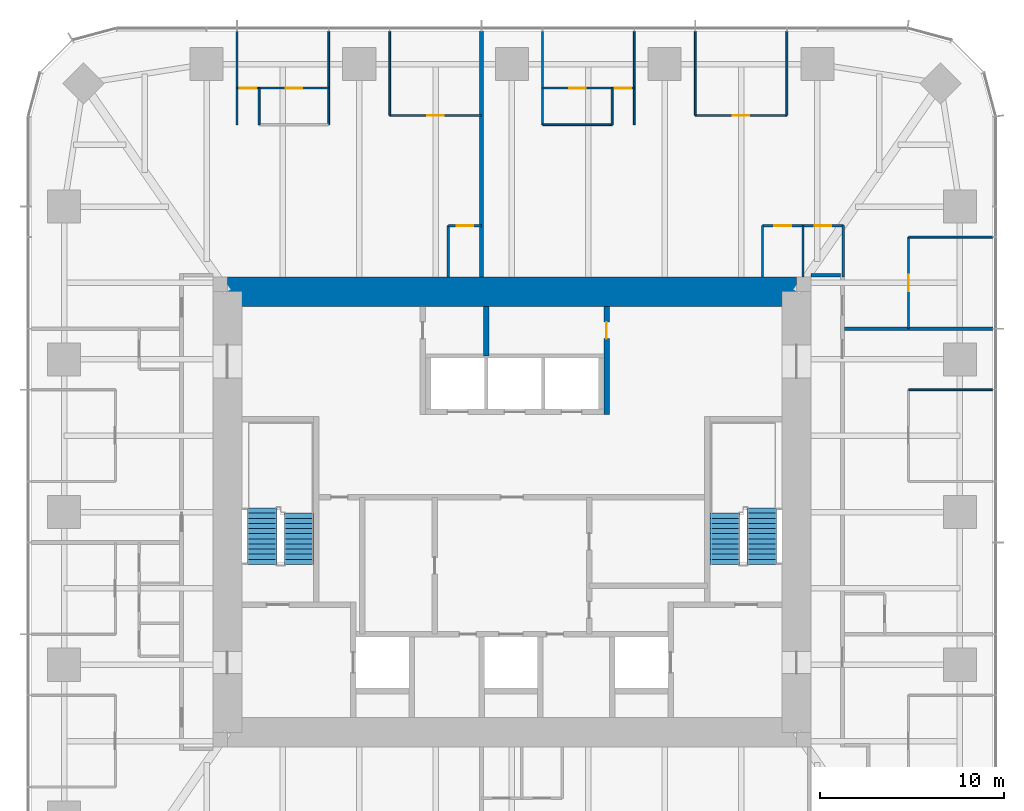
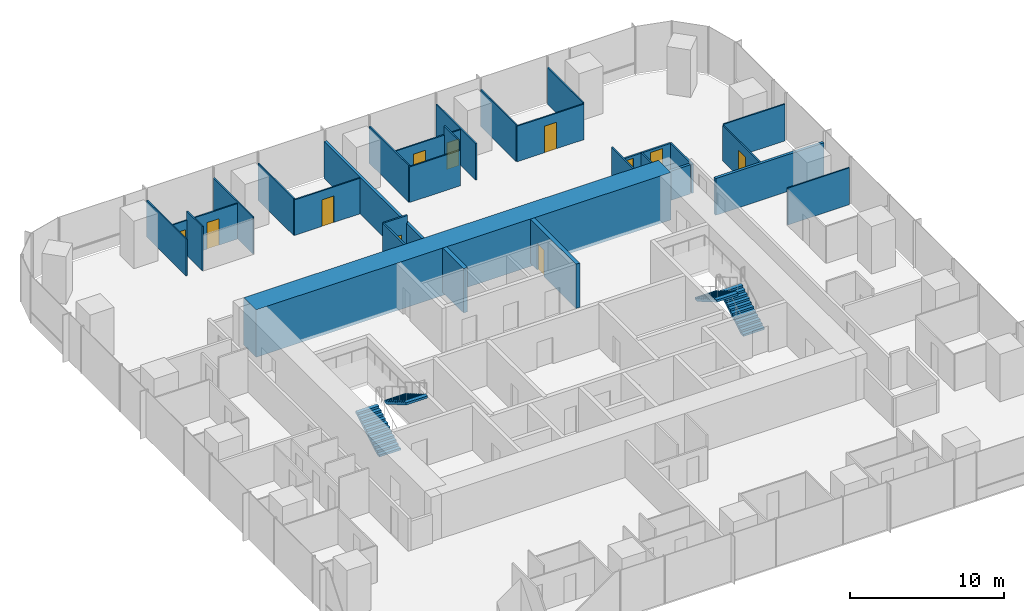
# One storey, part 11 of 12: 29 walls, 11 doors, 4 stair flights, 11 openings, 2 elements without a shape of their own.
"""IFC4 building model written with IfcOpenShell, lengths in metres."""

from ifc_helpers import new_model, si_unit, direction, frame, frame_2d, origin, place, context, subcontext, project, spatial, polyline, rectangle, outline, extrude, material, layer, layer_set, type_object, element, fill, aggregate, save


model = new_model("IFC4")

# Units and contexts
model_context = context("Model", 3, precision=1e-05, world=origin(), true_north=direction((0.0, 1.0)))
body_context = subcontext(model_context, "Body", "Model", "MODEL_VIEW")
ifc_project = project(units=[si_unit("LENGTHUNIT", "METRE"), si_unit("AREAUNIT", "SQUARE_METRE"), si_unit("VOLUMEUNIT", "CUBIC_METRE"), si_unit("PLANEANGLEUNIT", "RADIAN"), si_unit("MASSUNIT", "GRAM", prefix="KILO")], contexts=[model_context])

# Site, building, storey
site_placement = place(None, origin())
site = spatial("IfcSite", under=ifc_project, at=site_placement, CompositionType="ELEMENT")
building_placement = place(site_placement, origin())
building = spatial("IfcBuilding", under=site, at=building_placement, Name="Khuree Lantern Residences", CompositionType="ELEMENT")
storey_placement = place(building_placement, frame((0.0, 0.0, 222.0)))
storey = spatial("IfcBuildingStorey", under=building, at=storey_placement, Name="L55", CompositionType="ELEMENT", Elevation=222.0)

# Wall, openings, doors
ifc_material_1 = material(Name="Moisture-resistant gypsum board on steel studs", Category="steel")
ifc_layer_1 = layer(ifc_material_1, 0.125)
ifc_layer_set_1 = layer_set([ifc_layer_1], Name="BATHROOM WALL BTW125")
wall_type_1 = type_object("IfcWallType", Name="BATHROOM WALL BTW125", PredefinedType="PARTITIONING", material=ifc_layer_set_1)
wall_1_placement = place(storey_placement, frame((18.050048828125, 15.60009765625, 0.0), z_axis=(0.0, 0.0, 1.0), x_axis=(-1.0, 0.0, 0.0)))
wall_1 = element("IfcWall", 1, at=wall_1_placement, inside=storey, type_object=wall_type_1, Name="L55 BATHROOM WALL 02", PredefinedType="PARTITIONING", context=body_context, shape_type="SweptSolid", body=[
    extrude(rectangle(XDim=4.400146484375, YDim=0.125, at=frame_2d((2.2001953125, 0.0))), origin(), (0.0, 0.0, 1.0), 2.300048828125),
])
opening_1_placement = place(wall_1_placement, frame((0.64990234375, 0.0, 0.0)))
opening_1 = element("IfcOpeningElement", 2, at=opening_1_placement, cuts=wall_1, Name="Opening 55-029", PredefinedType="OPENING", context=body_context, shape_type="SweptSolid", body=[
    extrude(rectangle(XDim=0.89990234375, YDim=2.10009765625, at=frame_2d((0.449951171875, 1.050048828125))), frame((0.0, 0.072509765625, 0.0), z_axis=(0.0, -1.0, 0.0), x_axis=(1.0, 0.0, 0.0)), (0.0, 0.0, 1.0), 0.14501953125),
])
opening_2_placement = place(wall_1_placement, frame((2.85009765625, 0.0, 0.0)))
opening_2 = element("IfcOpeningElement", 3, at=opening_2_placement, cuts=wall_1, Name="Opening 55-030", PredefinedType="OPENING", context=body_context, shape_type="SweptSolid", body=[
    extrude(rectangle(XDim=0.89990234375, YDim=2.10009765625, at=frame_2d((0.449951171875, 1.050048828125))), frame((0.0, 0.072509765625, 0.0), z_axis=(0.0, -1.0, 0.0), x_axis=(1.0, 0.0, 0.0)), (0.0, 0.0, 1.0), 0.14501953125),
])
ifc_material_2 = material(Name="Timber door leaf in hardwood frame", Category="wood")
door_type_1 = type_object("IfcDoorType", Name="BATHROOM DOOR 900X2100", OperationType="SINGLE_SWING_LEFT", PredefinedType="DOOR", material=ifc_material_2)
door_1_placement = place(opening_1_placement, origin())
door_1 = element("IfcDoor", 4, at=door_1_placement, inside=storey, type_object=door_type_1, Name="Bathroom door 55-029", OperationType="SINGLE_SWING_LEFT", OverallHeight=2.10009765625, OverallWidth=0.89990234375, PredefinedType="DOOR", context=body_context, shape_type="SweptSolid", body=[
    extrude(rectangle(XDim=0.89990234375, YDim=2.10009765625, at=frame_2d((0.449951171875, 1.050048828125))), frame((0.0, 0.02490234375, 0.0), z_axis=(0.0, -1.0, 0.0), x_axis=(1.0, 0.0, 0.0)), (0.0, 0.0, 1.0), 0.050048828125),
])
fill(opening_1, door_1)
door_2_placement = place(opening_2_placement, origin())
door_2 = element("IfcDoor", 5, at=door_2_placement, inside=storey, type_object=door_type_1, Name="Bathroom door 55-030", OperationType="SINGLE_SWING_LEFT", OverallHeight=2.10009765625, OverallWidth=0.89990234375, PredefinedType="DOOR", context=body_context, shape_type="SweptSolid", body=[
    extrude(rectangle(XDim=0.89990234375, YDim=2.10009765625, at=frame_2d((0.449951171875, 1.050048828125))), frame((0.0, 0.02490234375, 0.0), z_axis=(0.0, -1.0, 0.0), x_axis=(1.0, 0.0, 0.0)), (0.0, 0.0, 1.0), 0.050048828125),
])
fill(opening_2, door_2)

# Walls
for number, where, z_axis, x_axis, name in (
    (6, (18.050048828125, 12.800048828125, 0.0), (0.0, 0.0, 1.0), (0.0, 1.0, 0.0), "L55 BATHROOM WALL 02"),
    (7, (15.85009765625, 12.800048828125, 0.0), (0.0, 0.0, 1.0), (0.0, 1.0, 0.0), "L55 BATHROOM WALL 02"),
):
    element("IfcWall", number, at=place(storey_placement, frame(where, z_axis=z_axis, x_axis=x_axis)), inside=storey, type_object=wall_type_1, Name=name, PredefinedType="PARTITIONING", context=body_context, shape_type="SweptSolid", body=[
        extrude(rectangle(XDim=2.800048828125, YDim=0.125, at=frame_2d((1.39990234375, 0.0))), origin(), (0.0, 0.0, 1.0), 2.300048828125),
    ])
wall_2_placement = place(storey_placement, frame((13.64990234375, 12.800048828125, 0.0), z_axis=(0.0, 0.0, 1.0), x_axis=(0.0, 1.0, 0.0)))
element("IfcWall", 8, at=wall_2_placement, inside=storey, type_object=wall_type_1, Name="L55 BATHROOM WALL 02", PredefinedType="PARTITIONING", context=body_context, shape_type="SweptSolid", body=[
    extrude(rectangle(XDim=2.800048828125, YDim=0.125, at=frame_2d((1.39990234375, 0.0))), origin(), (0.0, 0.0, 1.0), 3.5),
])

# Wall, opening, door
wall_3_placement = place(storey_placement, frame((-1.6640625, 15.60009765625, 0.0), z_axis=(0.0, 0.0, 1.0), x_axis=(-1.0, 0.0, 0.0)))
wall_3 = element("IfcWall", 9, at=wall_3_placement, inside=storey, type_object=wall_type_1, Name="L55 BATHROOM WALL 03", PredefinedType="PARTITIONING", context=body_context, shape_type="SweptSolid", body=[
    extrude(rectangle(XDim=1.800048828125, YDim=0.125, at=frame_2d((0.89990234375, 0.0))), origin(), (0.0, 0.0, 1.0), 3.5),
])
opening_3_placement = place(wall_3_placement, frame((0.449951171875, 0.0, 0.0)))
opening_3 = element("IfcOpeningElement", 10, at=opening_3_placement, cuts=wall_3, Name="Opening 55-035", PredefinedType="OPENING", context=body_context, shape_type="SweptSolid", body=[
    extrude(rectangle(XDim=0.89990234375, YDim=2.10009765625, at=frame_2d((0.449951171875, 1.050048828125))), frame((0.0, 0.072509765625, 0.0), z_axis=(0.0, -1.0, 0.0), x_axis=(1.0, 0.0, 0.0)), (0.0, 0.0, 1.0), 0.14501953125),
])
door_3_placement = place(opening_3_placement, origin())
door_3 = element("IfcDoor", 11, at=door_3_placement, inside=storey, type_object=door_type_1, Name="Bathroom door 55-035", OperationType="SINGLE_SWING_LEFT", OverallHeight=2.10009765625, OverallWidth=0.89990234375, PredefinedType="DOOR", context=body_context, shape_type="SweptSolid", body=[
    extrude(rectangle(XDim=0.89990234375, YDim=2.10009765625, at=frame_2d((0.449951171875, 1.050048828125))), frame((0.0, 0.02490234375, 0.0), z_axis=(0.0, -1.0, 0.0), x_axis=(1.0, 0.0, 0.0)), (0.0, 0.0, 1.0), 0.050048828125),
])
fill(opening_3, door_3)

# Wall
wall_4_placement = place(storey_placement, frame((-3.464111328125, 12.800048828125, 0.0), z_axis=(0.0, 0.0, 1.0), x_axis=(0.0, 1.0, 0.0)))
element("IfcWall", 12, at=wall_4_placement, inside=storey, type_object=wall_type_1, Name="L55 BATHROOM WALL 03", PredefinedType="PARTITIONING", context=body_context, shape_type="SweptSolid", body=[
    extrude(rectangle(XDim=2.800048828125, YDim=0.125, at=frame_2d((1.39990234375, 0.0))), origin(), (0.0, 0.0, 1.0), 3.5),
])

# Wall, opening, door
ifc_material_3 = material(Name="Dense concrete blockwork", Category="masonry")
ifc_layer_2 = layer(ifc_material_3, 0.300048828125)
ifc_layer_set_2 = layer_set([ifc_layer_2], Name="CORE PARTITION WALL CPW300 EI 120")
wall_type_2 = type_object("IfcWallType", Name="CORE PARTITION WALL CPW300 EI 120", PredefinedType="PARTITIONING", material=ifc_layer_set_2)
wall_5_placement = place(storey_placement, frame((5.14990234375, 5.300048828125, 0.0), z_axis=(0.0, 0.0, 1.0), x_axis=(0.0, 1.0, 0.0)))
wall_5 = element("IfcWall", 13, at=wall_5_placement, inside=storey, type_object=wall_type_2, Name="L55 CORE WALL NE", PredefinedType="PARTITIONING", context=body_context, shape_type="SweptSolid", body=[
    extrude(rectangle(XDim=5.89990234375, YDim=0.300048828125, at=frame_2d((2.949951171875, 0.0))), origin(), (0.0, 0.0, 1.0), 3.5),
])
opening_4_placement = place(wall_5_placement, frame((4.14990234375, 0.0, 0.0)))
opening_4 = element("IfcOpeningElement", 14, at=opening_4_placement, cuts=wall_5, Name="Opening 55-021", PredefinedType="OPENING", context=body_context, shape_type="SweptSolid", body=[
    extrude(rectangle(XDim=0.89990234375, YDim=2.10009765625, at=frame_2d((0.449951171875, 1.050048828125))), frame((0.0, 0.16015625, 0.0), z_axis=(0.0, -1.0, 0.0), x_axis=(1.0, 0.0, 0.0)), (0.0, 0.0, 1.0), 0.320068359375),
])
door_type_2 = type_object("IfcDoorType", Name="DOOR 900X2100", OperationType="SINGLE_SWING_LEFT", PredefinedType="DOOR", material=ifc_material_2)
door_4_placement = place(opening_4_placement, origin())
door_4 = element("IfcDoor", 15, at=door_4_placement, inside=storey, type_object=door_type_2, Name="Parcel room door 55-021", OperationType="SINGLE_SWING_LEFT", OverallHeight=2.10009765625, OverallWidth=0.89990234375, PredefinedType="DOOR", context=body_context, shape_type="SweptSolid", body=[
    extrude(rectangle(XDim=0.89990234375, YDim=2.10009765625, at=frame_2d((0.449951171875, 1.050048828125))), frame((0.0, 0.02490234375, 0.0), z_axis=(0.0, -1.0, 0.0), x_axis=(1.0, 0.0, 0.0)), (0.0, 0.0, 1.0), 0.050048828125),
])
fill(opening_4, door_4)

# Walls
wall_6_placement = place(storey_placement, frame((-1.39990234375, 8.5, 0.0), z_axis=(0.0, 0.0, 1.0), x_axis=(0.0, 1.0, 0.0)))
element("IfcWall", 16, at=wall_6_placement, inside=storey, type_object=wall_type_2, Name="L55 CORE WALL NX", PredefinedType="PARTITIONING", context=body_context, shape_type="SweptSolid", body=[
    extrude(rectangle(XDim=2.699951171875, YDim=0.300048828125, at=frame_2d((1.35009765625, 0.0))), origin(), (0.0, 0.0, 1.0), 3.5),
])
ifc_material_4 = material(Name="Gypsum board on steel studs", Category="steel")
ifc_layer_3 = layer(ifc_material_4, 0.199951171875)
ifc_layer_set_3 = layer_set([ifc_layer_3], Name="CORRIDOR WALL CRW200 EI 60")
wall_type_3 = type_object("IfcWallType", Name="CORRIDOR WALL CRW200 EI 60", PredefinedType="PARTITIONING", material=ifc_layer_set_3)
wall_7_placement = place(storey_placement, frame((16.300048828125, 12.89990234375, 0.0), z_axis=(0.0, 0.0, 1.0), x_axis=(1.0, 0.0, 0.0)))
element("IfcWall", 17, at=wall_7_placement, inside=storey, type_object=wall_type_3, Name="L55 EAST CORRIDOR NORTH END WALL", PredefinedType="PARTITIONING", context=body_context, shape_type="SweptSolid", body=[
    extrude(rectangle(XDim=1.599853515625, YDim=0.199951171875, at=frame_2d((0.7998046875, 0.0))), origin(), (0.0, 0.0, 1.0), 2.300048828125),
])
ifc_material_5 = material(Name="Concrete C50/60", Category="concrete")
ifc_layer_4 = layer(ifc_material_5, 1.60009765625)
ifc_layer_set_4 = layer_set([ifc_layer_4], Name="CW1600-C50 CORE WALL C50 1600")
wall_type_4 = type_object("IfcWallType", Name="CW1600-C50 CORE WALL C50 1600", PredefinedType="SHEAR", material=ifc_layer_set_4)
wall_8_placement = place(storey_placement, frame((-15.5, 12.0, -0.25), z_axis=(0.0, 0.0, 1.0), x_axis=(1.0, 0.0, 0.0)))
element("IfcWall", 18, at=wall_8_placement, inside=storey, type_object=wall_type_4, Name="Core wall N", PredefinedType="SHEAR", context=body_context, shape_type="SweptSolid", body=[
    extrude(rectangle(XDim=31.0, YDim=1.60009765625, at=frame_2d((15.5, 0.0))), origin(), (0.0, 0.0, 1.0), 3.75),
])
ifc_layer_5 = layer(ifc_material_4, 0.199951171875)
ifc_layer_set_5 = layer_set([ifc_layer_5], Name="DEMISING WALL DMW200 EI 90")
wall_type_5 = type_object("IfcWallType", Name="DEMISING WALL DMW200 EI 90", PredefinedType="PARTITIONING", material=ifc_layer_set_5)
wall_9_placement = place(storey_placement, frame((18.10009765625, 9.98388671875, 0.0), z_axis=(0.0, 0.0, 1.0), x_axis=(1.0, 0.0, 0.0)))
element("IfcWall", 19, at=wall_9_placement, inside=storey, type_object=wall_type_5, Name="L55 DEMISING WALL 02", PredefinedType="PARTITIONING", context=body_context, shape_type="SweptSolid", body=[
    extrude(rectangle(XDim=8.099853515625, YDim=0.199951171875, at=frame_2d((4.0498046875, 0.0))), origin(), (0.0, 0.0, 1.0), 2.909912109375),
])
wall_10_placement = place(storey_placement, frame((-1.6640625, 12.800048828125, 0.0), z_axis=(0.0, 0.0, 1.0), x_axis=(0.0, 1.0, 0.0)))
element("IfcWall", 20, at=wall_10_placement, inside=storey, type_object=wall_type_5, Name="L55 DEMISING WALL 03", PredefinedType="PARTITIONING", context=body_context, shape_type="SweptSolid", body=[
    extrude(rectangle(XDim=13.39990234375, YDim=0.199951171875, at=frame_2d((6.699951171875, 0.0))), origin(), (0.0, 0.0, 1.0), 2.909912109375),
])
ifc_layer_6 = layer(ifc_material_4, 0.10009765625)
ifc_layer_set_6 = layer_set([ifc_layer_6], Name="PARTITION PT100")
wall_type_6 = type_object("IfcWallType", Name="PARTITION PT100", PredefinedType="PARTITIONING", material=ifc_layer_set_6)
for number, where, z_axis, x_axis, name in (
    (21, (21.60009765625, 6.656005859375, 0.0), (0.0, 0.0, 1.0), (1.0, 0.0, 0.0), "L55 PARTITION 01"),
    (22, (21.60009765625, 14.97607421875, 0.0), (0.0, 0.0, 1.0), (1.0, 0.0, 0.0), "L55 PARTITION 02"),
    (23, (14.97607421875, 21.60009765625, 0.0), (0.0, 0.0, 1.0), (0.0, 1.0, 0.0), "L55 PARTITION 02"),
    (24, (9.98388671875, 21.60009765625, 0.0), (0.0, 0.0, 1.0), (0.0, 1.0, 0.0), "L55 PARTITION 02"),
):
    element("IfcWall", number, at=place(storey_placement, frame(where, z_axis=z_axis, x_axis=x_axis)), inside=storey, type_object=wall_type_6, Name=name, PredefinedType="PARTITIONING", context=body_context, shape_type="SweptSolid", body=[
        extrude(rectangle(XDim=4.599853515625, YDim=0.10009765625, at=frame_2d((2.2998046875, 0.0))), origin(), (0.0, 0.0, 1.0), 2.909912109375),
    ])
for number, where, z_axis, x_axis, name in (
    (25, (6.656005859375, 21.094970703125, 0.0), (0.0, 0.0, 1.0), (0.0, 1.0, 0.0), "L55 PARTITION 02"),
    (26, (1.6640625, 21.094970703125, 0.0), (0.0, 0.0, 1.0), (0.0, 1.0, 0.0), "L55 PARTITION 02"),
):
    element("IfcWall", number, at=place(storey_placement, frame(where, z_axis=z_axis, x_axis=x_axis)), inside=storey, type_object=wall_type_6, Name=name, PredefinedType="PARTITIONING", context=body_context, shape_type="SweptSolid", body=[
        extrude(rectangle(XDim=5.10498046875, YDim=0.10009765625, at=frame_2d((2.552490234375, 0.0))), origin(), (0.0, 0.0, 1.0), 2.909912109375),
    ])
wall_11_placement = place(storey_placement, frame((-6.656005859375, 21.60009765625, 0.0), z_axis=(0.0, 0.0, 1.0), x_axis=(0.0, 1.0, 0.0)))
element("IfcWall", 27, at=wall_11_placement, inside=storey, type_object=wall_type_6, Name="L55 PARTITION 03", PredefinedType="PARTITIONING", context=body_context, shape_type="SweptSolid", body=[
    extrude(rectangle(XDim=4.599853515625, YDim=0.10009765625, at=frame_2d((2.2998046875, 0.0))), origin(), (0.0, 0.0, 1.0), 2.909912109375),
])
for number, where, z_axis, x_axis, name in (
    (28, (-9.98388671875, 21.094970703125, 0.0), (0.0, 0.0, 1.0), (0.0, 1.0, 0.0), "L55 PARTITION 03"),
    (29, (-14.97607421875, 21.094970703125, 0.0), (0.0, 0.0, 1.0), (0.0, 1.0, 0.0), "L55 PARTITION 03"),
):
    element("IfcWall", number, at=place(storey_placement, frame(where, z_axis=z_axis, x_axis=x_axis)), inside=storey, type_object=wall_type_6, Name=name, PredefinedType="PARTITIONING", context=body_context, shape_type="SweptSolid", body=[
        extrude(rectangle(XDim=5.10498046875, YDim=0.10009765625, at=frame_2d((2.552490234375, 0.0))), origin(), (0.0, 0.0, 1.0), 2.909912109375),
    ])

# Wall, opening, door
wall_12_placement = place(storey_placement, frame((21.60009765625, 9.98388671875, 0.0), z_axis=(0.0, 0.0, 1.0), x_axis=(0.0, 1.0, 0.0)))
wall_12 = element("IfcWall", 30, at=wall_12_placement, inside=storey, type_object=wall_type_6, Name="L55 PARTITION 02", PredefinedType="PARTITIONING", context=body_context, shape_type="SweptSolid", body=[
    extrude(rectangle(XDim=4.9921875, YDim=0.10009765625, at=frame_2d((2.49609375, 0.0))), origin(), (0.0, 0.0, 1.0), 2.81005859375),
])
opening_5_placement = place(wall_12_placement, frame((2.0458984375, 0.0, 0.0)))
opening_5 = element("IfcOpeningElement", 31, at=opening_5_placement, cuts=wall_12, Name="Opening 55-025", PredefinedType="OPENING", context=body_context, shape_type="SweptSolid", body=[
    extrude(rectangle(XDim=0.89990234375, YDim=2.10009765625, at=frame_2d((0.449951171875, 1.050048828125))), frame((0.0, 0.06005859375, 0.0), z_axis=(0.0, -1.0, 0.0), x_axis=(1.0, 0.0, 0.0)), (0.0, 0.0, 1.0), 0.1201171875),
])
door_type_3 = type_object("IfcDoorType", Name="BEDROOM DOOR 900X2100", OperationType="SINGLE_SWING_LEFT", PredefinedType="DOOR", material=ifc_material_2)
door_5_placement = place(opening_5_placement, origin())
door_5 = element("IfcDoor", 32, at=door_5_placement, inside=storey, type_object=door_type_3, Name="Bedroom door 55-025", OperationType="SINGLE_SWING_LEFT", OverallHeight=2.10009765625, OverallWidth=0.89990234375, PredefinedType="DOOR", context=body_context, shape_type="SweptSolid", body=[
    extrude(rectangle(XDim=0.89990234375, YDim=2.10009765625, at=frame_2d((0.449951171875, 1.050048828125))), frame((0.0, 0.02490234375, 0.0), z_axis=(0.0, -1.0, 0.0), x_axis=(1.0, 0.0, 0.0)), (0.0, 0.0, 1.0), 0.050048828125),
])
fill(opening_5, door_5)

wall_13_placement = place(storey_placement, frame((14.97607421875, 21.60009765625, 0.0), z_axis=(0.0, 0.0, 1.0), x_axis=(-1.0, 0.0, 0.0)))
wall_13 = element("IfcWall", 33, at=wall_13_placement, inside=storey, type_object=wall_type_6, Name="L55 PARTITION 02", PredefinedType="PARTITIONING", context=body_context, shape_type="SweptSolid", body=[
    extrude(rectangle(XDim=4.9921875, YDim=0.10009765625, at=frame_2d((2.49609375, 0.0))), origin(), (0.0, 0.0, 1.0), 2.81005859375),
])
opening_6_placement = place(wall_13_placement, frame((2.0458984375, 0.0, 0.0)))
opening_6 = element("IfcOpeningElement", 34, at=opening_6_placement, cuts=wall_13, Name="Opening 55-026", PredefinedType="OPENING", context=body_context, shape_type="SweptSolid", body=[
    extrude(rectangle(XDim=0.89990234375, YDim=2.10009765625, at=frame_2d((0.449951171875, 1.050048828125))), frame((0.0, 0.06005859375, 0.0), z_axis=(0.0, -1.0, 0.0), x_axis=(1.0, 0.0, 0.0)), (0.0, 0.0, 1.0), 0.1201171875),
])
door_6_placement = place(opening_6_placement, origin())
door_6 = element("IfcDoor", 35, at=door_6_placement, inside=storey, type_object=door_type_3, Name="Bedroom door 55-026", OperationType="SINGLE_SWING_LEFT", OverallHeight=2.10009765625, OverallWidth=0.89990234375, PredefinedType="DOOR", context=body_context, shape_type="SweptSolid", body=[
    extrude(rectangle(XDim=0.89990234375, YDim=2.10009765625, at=frame_2d((0.449951171875, 1.050048828125))), frame((0.0, 0.02490234375, 0.0), z_axis=(0.0, -1.0, 0.0), x_axis=(1.0, 0.0, 0.0)), (0.0, 0.0, 1.0), 0.050048828125),
])
fill(opening_6, door_6)

# Wall, openings, doors
wall_14_placement = place(storey_placement, frame((6.656005859375, 23.094970703125, 0.0), z_axis=(0.0, 0.0, 1.0), x_axis=(-1.0, 0.0, 0.0)))
wall_14 = element("IfcWall", 36, at=wall_14_placement, inside=storey, type_object=wall_type_6, Name="L55 PARTITION 02", PredefinedType="PARTITIONING", context=body_context, shape_type="SweptSolid", body=[
    extrude(rectangle(XDim=4.991943359375, YDim=0.10009765625, at=frame_2d((2.49609375, 0.0))), origin(), (0.0, 0.0, 1.0), 2.81005859375),
])
opening_7_placement = place(wall_14_placement, frame((0.14990234375, 0.0, 0.0)))
opening_7 = element("IfcOpeningElement", 37, at=opening_7_placement, cuts=wall_14, Name="Opening 55-027", PredefinedType="OPENING", context=body_context, shape_type="SweptSolid", body=[
    extrude(rectangle(XDim=0.89990234375, YDim=2.10009765625, at=frame_2d((0.449951171875, 1.050048828125))), frame((0.0, 0.06005859375, 0.0), z_axis=(0.0, -1.0, 0.0), x_axis=(1.0, 0.0, 0.0)), (0.0, 0.0, 1.0), 0.1201171875),
])
opening_8_placement = place(wall_14_placement, frame((2.64599609375, 0.0, 0.0)))
opening_8 = element("IfcOpeningElement", 38, at=opening_8_placement, cuts=wall_14, Name="Opening 55-028", PredefinedType="OPENING", context=body_context, shape_type="SweptSolid", body=[
    extrude(rectangle(XDim=0.89990234375, YDim=2.10009765625, at=frame_2d((0.449951171875, 1.050048828125))), frame((0.0, 0.06005859375, 0.0), z_axis=(0.0, -1.0, 0.0), x_axis=(1.0, 0.0, 0.0)), (0.0, 0.0, 1.0), 0.1201171875),
])
door_7_placement = place(opening_7_placement, origin())
door_7 = element("IfcDoor", 39, at=door_7_placement, inside=storey, type_object=door_type_3, Name="Bedroom door 55-027", OperationType="SINGLE_SWING_LEFT", OverallHeight=2.10009765625, OverallWidth=0.89990234375, PredefinedType="DOOR", context=body_context, shape_type="SweptSolid", body=[
    extrude(rectangle(XDim=0.89990234375, YDim=2.10009765625, at=frame_2d((0.449951171875, 1.050048828125))), frame((0.0, 0.02490234375, 0.0), z_axis=(0.0, -1.0, 0.0), x_axis=(1.0, 0.0, 0.0)), (0.0, 0.0, 1.0), 0.050048828125),
])
fill(opening_7, door_7)
door_8_placement = place(opening_8_placement, origin())
door_8 = element("IfcDoor", 40, at=door_8_placement, inside=storey, type_object=door_type_2, Name="Wardrobe door 55-028", OperationType="SINGLE_SWING_LEFT", OverallHeight=2.10009765625, OverallWidth=0.89990234375, PredefinedType="DOOR", context=body_context, shape_type="SweptSolid", body=[
    extrude(rectangle(XDim=0.89990234375, YDim=2.10009765625, at=frame_2d((0.449951171875, 1.050048828125))), frame((0.0, 0.02490234375, 0.0), z_axis=(0.0, -1.0, 0.0), x_axis=(1.0, 0.0, 0.0)), (0.0, 0.0, 1.0), 0.050048828125),
])
fill(opening_8, door_8)

# Walls
wall_15_placement = place(storey_placement, frame((5.4560546875, 21.094970703125, 0.0), z_axis=(0.0, 0.0, 1.0), x_axis=(0.0, 1.0, 0.0)))
element("IfcWall", 41, at=wall_15_placement, inside=storey, type_object=wall_type_6, Name="L55 PARTITION 02", PredefinedType="PARTITIONING", context=body_context, shape_type="SweptSolid", body=[
    extrude(rectangle(XDim=2.0, YDim=0.10009765625, at=frame_2d((1.0, 0.0))), origin(), (0.0, 0.0, 1.0), 3.5),
])
wall_16_placement = place(storey_placement, frame((5.4560546875, 21.094970703125, 0.0), z_axis=(0.0, 0.0, 1.0), x_axis=(-1.0, 0.0, 0.0)))
element("IfcWall", 42, at=wall_16_placement, inside=storey, type_object=wall_type_6, Name="L55 PARTITION 02", PredefinedType="PARTITIONING", context=body_context, shape_type="SweptSolid", body=[
    extrude(rectangle(XDim=3.7919921875, YDim=0.10009765625, at=frame_2d((1.89599609375, 0.0))), origin(), (0.0, 0.0, 1.0), 2.81005859375),
])

# Wall, opening, door
wall_17_placement = place(storey_placement, frame((-1.6640625, 21.60009765625, 0.0), z_axis=(0.0, 0.0, 1.0), x_axis=(-1.0, 0.0, 0.0)))
wall_17 = element("IfcWall", 43, at=wall_17_placement, inside=storey, type_object=wall_type_6, Name="L55 PARTITION 03", PredefinedType="PARTITIONING", context=body_context, shape_type="SweptSolid", body=[
    extrude(rectangle(XDim=4.991943359375, YDim=0.10009765625, at=frame_2d((2.49609375, 0.0))), origin(), (0.0, 0.0, 1.0), 2.81005859375),
])
opening_9_placement = place(wall_17_placement, frame((2.0458984375, 0.0, 0.0)))
opening_9 = element("IfcOpeningElement", 44, at=opening_9_placement, cuts=wall_17, Name="Opening 55-032", PredefinedType="OPENING", context=body_context, shape_type="SweptSolid", body=[
    extrude(rectangle(XDim=0.89990234375, YDim=2.10009765625, at=frame_2d((0.449951171875, 1.050048828125))), frame((0.0, 0.06005859375, 0.0), z_axis=(0.0, -1.0, 0.0), x_axis=(1.0, 0.0, 0.0)), (0.0, 0.0, 1.0), 0.1201171875),
])
door_9_placement = place(opening_9_placement, origin())
door_9 = element("IfcDoor", 45, at=door_9_placement, inside=storey, type_object=door_type_3, Name="Bedroom door 55-032", OperationType="SINGLE_SWING_LEFT", OverallHeight=2.10009765625, OverallWidth=0.89990234375, PredefinedType="DOOR", context=body_context, shape_type="SweptSolid", body=[
    extrude(rectangle(XDim=0.89990234375, YDim=2.10009765625, at=frame_2d((0.449951171875, 1.050048828125))), frame((0.0, 0.02490234375, 0.0), z_axis=(0.0, -1.0, 0.0), x_axis=(1.0, 0.0, 0.0)), (0.0, 0.0, 1.0), 0.050048828125),
])
fill(opening_9, door_9)

# Wall, openings, doors
wall_18_placement = place(storey_placement, frame((-9.98388671875, 23.094970703125, 0.0), z_axis=(0.0, 0.0, 1.0), x_axis=(-1.0, 0.0, 0.0)))
wall_18 = element("IfcWall", 46, at=wall_18_placement, inside=storey, type_object=wall_type_6, Name="L55 PARTITION 03", PredefinedType="PARTITIONING", context=body_context, shape_type="SweptSolid", body=[
    extrude(rectangle(XDim=4.9921875, YDim=0.10009765625, at=frame_2d((2.49609375, 0.0))), origin(), (0.0, 0.0, 1.0), 2.81005859375),
])
opening_10_placement = place(wall_18_placement, frame((3.94189453125, 0.0, 0.0)))
opening_10 = element("IfcOpeningElement", 47, at=opening_10_placement, cuts=wall_18, Name="Opening 55-033", PredefinedType="OPENING", context=body_context, shape_type="SweptSolid", body=[
    extrude(rectangle(XDim=0.89990234375, YDim=2.10009765625, at=frame_2d((0.449951171875, 1.050048828125))), frame((0.0, 0.06005859375, 0.0), z_axis=(0.0, -1.0, 0.0), x_axis=(1.0, 0.0, 0.0)), (0.0, 0.0, 1.0), 0.1201171875),
])
opening_11_placement = place(wall_18_placement, frame((1.446044921875, 0.0, 0.0)))
opening_11 = element("IfcOpeningElement", 48, at=opening_11_placement, cuts=wall_18, Name="Opening 55-034", PredefinedType="OPENING", context=body_context, shape_type="SweptSolid", body=[
    extrude(rectangle(XDim=0.89990234375, YDim=2.10009765625, at=frame_2d((0.449951171875, 1.050048828125))), frame((0.0, 0.06005859375, 0.0), z_axis=(0.0, -1.0, 0.0), x_axis=(1.0, 0.0, 0.0)), (0.0, 0.0, 1.0), 0.1201171875),
])
door_10_placement = place(opening_11_placement, origin())
door_10 = element("IfcDoor", 49, at=door_10_placement, inside=storey, type_object=door_type_1, Name="Bathroom door 55-034", OperationType="SINGLE_SWING_LEFT", OverallHeight=2.10009765625, OverallWidth=0.89990234375, PredefinedType="DOOR", context=body_context, shape_type="SweptSolid", body=[
    extrude(rectangle(XDim=0.89990234375, YDim=2.10009765625, at=frame_2d((0.449951171875, 1.050048828125))), frame((0.0, 0.02490234375, 0.0), z_axis=(0.0, -1.0, 0.0), x_axis=(1.0, 0.0, 0.0)), (0.0, 0.0, 1.0), 0.050048828125),
])
fill(opening_11, door_10)
door_11_placement = place(opening_10_placement, origin())
door_11 = element("IfcDoor", 50, at=door_11_placement, inside=storey, type_object=door_type_3, Name="Bedroom door 55-033", OperationType="SINGLE_SWING_LEFT", OverallHeight=2.10009765625, OverallWidth=0.89990234375, PredefinedType="DOOR", context=body_context, shape_type="SweptSolid", body=[
    extrude(rectangle(XDim=0.89990234375, YDim=2.10009765625, at=frame_2d((0.449951171875, 1.050048828125))), frame((0.0, 0.02490234375, 0.0), z_axis=(0.0, -1.0, 0.0), x_axis=(1.0, 0.0, 0.0)), (0.0, 0.0, 1.0), 0.050048828125),
])
fill(opening_10, door_11)

# Wall
wall_19_placement = place(storey_placement, frame((-13.77587890625, 21.094970703125, 0.0), z_axis=(0.0, 0.0, 1.0), x_axis=(0.0, 1.0, 0.0)))
element("IfcWall", 51, at=wall_19_placement, inside=storey, type_object=wall_type_6, Name="L55 PARTITION 03", PredefinedType="PARTITIONING", context=body_context, shape_type="SweptSolid", body=[
    extrude(rectangle(XDim=2.0, YDim=0.10009765625, at=frame_2d((1.0, 0.0))), origin(), (0.0, 0.0, 1.0), 3.5),
])

# Stair, stair flights
ifc_material_6 = material(Name="Concrete C40/50", Category="concrete")
stair_type = type_object("IfcStairType", Name="STAIR ST1 HALF TURN 3600", PredefinedType="HALF_TURN_STAIR", material=ifc_material_6)
stair_1_placement = place(storey_placement, origin())
stair_1 = element("IfcStair", 52, at=stair_1_placement, inside=storey, type_object=stair_type, Name="Stair ST1", PredefinedType="HALF_TURN_STAIR")
stair_flight_type = type_object("IfcStairFlightType", Name="STAIR FLIGHT SF1 1600", PredefinedType="STRAIGHT", material=ifc_material_6)
stair_flight_1_placement = place(storey_placement, frame((-13.60009765625, -2.860107421875, 0.0), z_axis=(0.0, 0.0, 1.0), x_axis=(0.0, 1.0, 0.0)))
stair_flight_1 = element("IfcStairFlight", 53, at=stair_flight_1_placement, type_object=stair_flight_type, Name="ST1 flight 1", NumberOfRisers=12, NumberOfTreads=11, PredefinedType="STRAIGHT", RiserHeight=0.163043478, TreadLength=0.28, context=body_context, shape_type="SweptSolid", body=[
    extrude(outline(polyline([(0.0, 0.0), (0.0, 0.1630859375), (0.280029296875, 0.1630859375), (0.280029296875, 0.326171875), (0.56005859375, 0.326171875), (0.56005859375, 0.489013671875), (0.840087890625, 0.489013671875), (0.840087890625, 0.652099609375), (1.1201171875, 0.652099609375), (1.1201171875, 0.815185546875), (1.39990234375, 0.815185546875), (1.39990234375, 0.978271484375), (1.679931640625, 0.978271484375), (1.679931640625, 1.141357421875), (1.9599609375, 1.141357421875), (1.9599609375, 1.304443359375), (2.239990234375, 1.304443359375), (2.239990234375, 1.46728515625), (2.52001953125, 1.46728515625), (2.52001953125, 1.63037109375), (2.800048828125, 1.63037109375), (2.800048828125, 1.79345703125), (3.080078125, 1.79345703125), (3.080078125, 1.95654296875), (3.080078125, 1.6201171875), (0.2978515625, 0.0), (0.0, 0.0)])), frame((0.0, 0.800048828125, 0.0), z_axis=(0.0, -1.0, 0.0), x_axis=(1.0, 0.0, 0.0)), (0.0, 0.0, 1.0), 1.60009765625),
])
stair_flight_2_placement = place(storey_placement, frame((-11.60009765625, -0.06005859375, 1.95654296875), z_axis=(0.0, 0.0, 1.0), x_axis=(0.0, -1.0, 0.0)))
stair_flight_2 = element("IfcStairFlight", 54, at=stair_flight_2_placement, type_object=stair_flight_type, Name="ST1 flight 2", NumberOfRisers=11, NumberOfTreads=10, PredefinedType="STRAIGHT", RiserHeight=0.163043478, TreadLength=0.28, context=body_context, shape_type="SweptSolid", body=[
    extrude(outline(polyline([(0.0, 0.0), (0.0, 0.1630859375), (0.280029296875, 0.1630859375), (0.280029296875, 0.326171875), (0.56005859375, 0.326171875), (0.56005859375, 0.489013671875), (0.840087890625, 0.489013671875), (0.840087890625, 0.652099609375), (1.1201171875, 0.652099609375), (1.1201171875, 0.815185546875), (1.39990234375, 0.815185546875), (1.39990234375, 0.978271484375), (1.679931640625, 0.978271484375), (1.679931640625, 1.141357421875), (1.9599609375, 1.141357421875), (1.9599609375, 1.304443359375), (2.239990234375, 1.304443359375), (2.239990234375, 1.46728515625), (2.52001953125, 1.46728515625), (2.52001953125, 1.63037109375), (2.800048828125, 1.63037109375), (2.800048828125, 1.79345703125), (2.800048828125, 1.45703125), (0.2978515625, 0.0), (0.0, 0.0)])), frame((0.0, 0.800048828125, 0.0), z_axis=(0.0, -1.0, 0.0), x_axis=(1.0, 0.0, 0.0)), (0.0, 0.0, 1.0), 1.60009765625),
])
aggregate(stair_1, [stair_flight_1, stair_flight_2])

stair_2_placement = place(storey_placement, origin())
stair_2 = element("IfcStair", 55, at=stair_2_placement, inside=storey, type_object=stair_type, Name="Stair ST2", PredefinedType="HALF_TURN_STAIR")
stair_flight_3_placement = place(storey_placement, frame((13.60009765625, -2.860107421875, 0.0), z_axis=(0.0, 0.0, 1.0), x_axis=(0.0, 1.0, 0.0)))
stair_flight_3 = element("IfcStairFlight", 56, at=stair_flight_3_placement, type_object=stair_flight_type, Name="ST2 flight 1", NumberOfRisers=12, NumberOfTreads=11, PredefinedType="STRAIGHT", RiserHeight=0.163043478, TreadLength=0.28, context=body_context, shape_type="SweptSolid", body=[
    extrude(outline(polyline([(0.0, 0.0), (0.0, 0.1630859375), (0.280029296875, 0.1630859375), (0.280029296875, 0.326171875), (0.56005859375, 0.326171875), (0.56005859375, 0.489013671875), (0.840087890625, 0.489013671875), (0.840087890625, 0.652099609375), (1.1201171875, 0.652099609375), (1.1201171875, 0.815185546875), (1.39990234375, 0.815185546875), (1.39990234375, 0.978271484375), (1.679931640625, 0.978271484375), (1.679931640625, 1.141357421875), (1.9599609375, 1.141357421875), (1.9599609375, 1.304443359375), (2.239990234375, 1.304443359375), (2.239990234375, 1.46728515625), (2.52001953125, 1.46728515625), (2.52001953125, 1.63037109375), (2.800048828125, 1.63037109375), (2.800048828125, 1.79345703125), (3.080078125, 1.79345703125), (3.080078125, 1.95654296875), (3.080078125, 1.6201171875), (0.2978515625, 0.0), (0.0, 0.0)])), frame((0.0, 0.800048828125, 0.0), z_axis=(0.0, -1.0, 0.0), x_axis=(1.0, 0.0, 0.0)), (0.0, 0.0, 1.0), 1.60009765625),
])
stair_flight_4_placement = place(storey_placement, frame((11.60009765625, -0.06005859375, 1.95654296875), z_axis=(0.0, 0.0, 1.0), x_axis=(0.0, -1.0, 0.0)))
stair_flight_4 = element("IfcStairFlight", 57, at=stair_flight_4_placement, type_object=stair_flight_type, Name="ST2 flight 2", NumberOfRisers=11, NumberOfTreads=10, PredefinedType="STRAIGHT", RiserHeight=0.163043478, TreadLength=0.28, context=body_context, shape_type="SweptSolid", body=[
    extrude(outline(polyline([(0.0, 0.0), (0.0, 0.1630859375), (0.280029296875, 0.1630859375), (0.280029296875, 0.326171875), (0.56005859375, 0.326171875), (0.56005859375, 0.489013671875), (0.840087890625, 0.489013671875), (0.840087890625, 0.652099609375), (1.1201171875, 0.652099609375), (1.1201171875, 0.815185546875), (1.39990234375, 0.815185546875), (1.39990234375, 0.978271484375), (1.679931640625, 0.978271484375), (1.679931640625, 1.141357421875), (1.9599609375, 1.141357421875), (1.9599609375, 1.304443359375), (2.239990234375, 1.304443359375), (2.239990234375, 1.46728515625), (2.52001953125, 1.46728515625), (2.52001953125, 1.63037109375), (2.800048828125, 1.63037109375), (2.800048828125, 1.79345703125), (2.800048828125, 1.45703125), (0.2978515625, 0.0), (0.0, 0.0)])), frame((0.0, 0.800048828125, 0.0), z_axis=(0.0, -1.0, 0.0), x_axis=(1.0, 0.0, 0.0)), (0.0, 0.0, 1.0), 1.60009765625),
])
aggregate(stair_2, [stair_flight_3, stair_flight_4])

save(model, "model.ifc")
